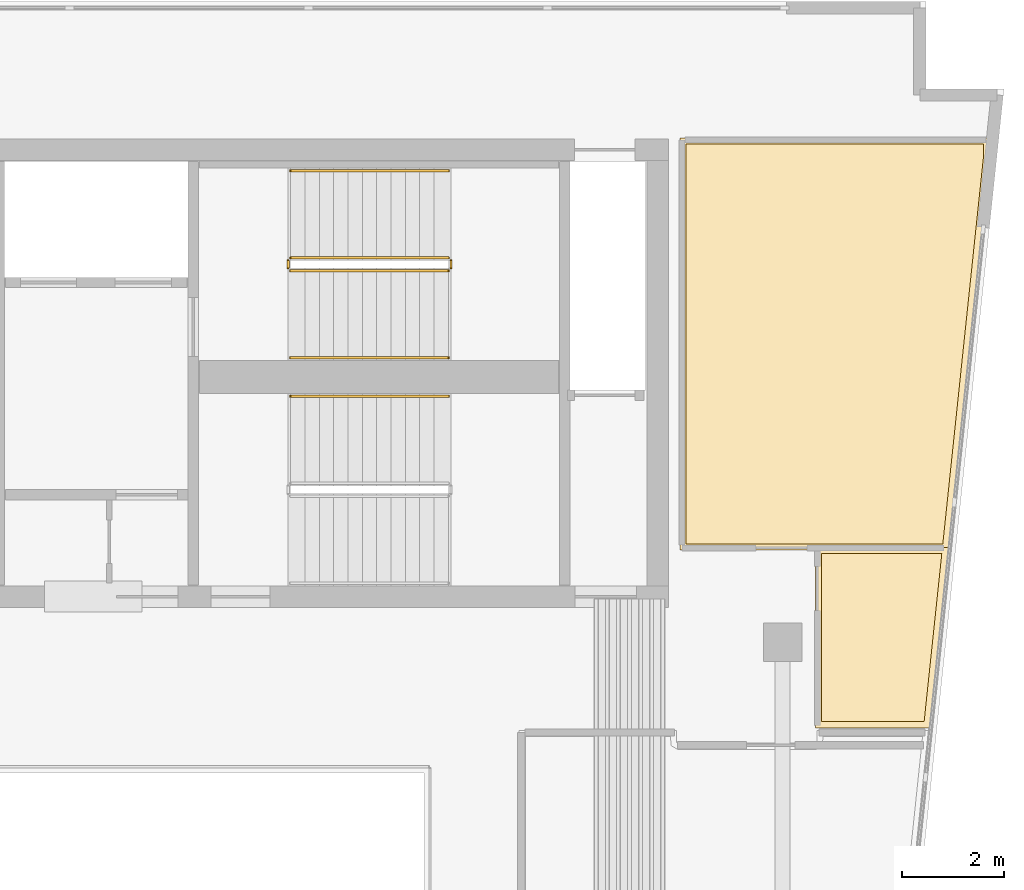
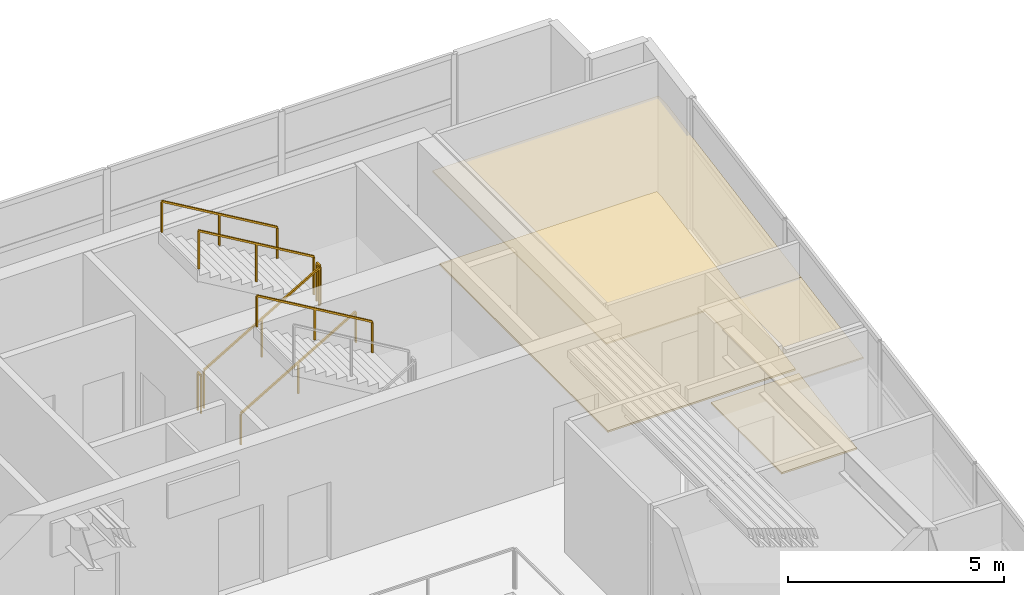
# One storey, part 6 of 6: 7 railings, 4 coverings.
"""IFC4 building model written with IfcOpenShell, lengths in metres."""

import ifcopenshell
import ifcopenshell.guid

model = None  # the IFC model being written
_history = None  # IfcOwnerHistory: only IFC2X3 demands one
_inside = {}  # id of a spatial element -> (the spatial element, [elements in it])
_under = {}  # id of a project, library or spatial element -> (it, [spatial elements below it])
_declared = {}  # id of a project -> (the project, [libraries it declares])
_typed = {}  # id of a type object -> (the type object, [elements of that type])
_made_of = {}  # id of a material, layer set ... -> (it, [elements and type objects made of it])


def new_model(schema):
    """Start an empty IFC model of exactly this schema.

    Asked for "IFC4X3", IfcOpenShell would pick the latest addendum, in which some entities
    have other attributes; the version numbers below select the first issue.
    IFC2X3 requires an IfcOwnerHistory on every rooted entity: one is made here for all.
    """
    global model, _history
    if schema == "IFC4X3":
        model = ifcopenshell.file(schema_version=(4, 3, 0, 0))
    else:
        model = ifcopenshell.file(schema=schema)
    _inside.clear()
    _under.clear()
    _declared.clear()
    _typed.clear()
    _made_of.clear()
    _history = None
    if model.schema == "IFC2X3":
        org = make("IfcOrganization", Name="unknown")
        user = make(
            "IfcPersonAndOrganization",
            ThePerson=make("IfcPerson", FamilyName="unknown"),
            TheOrganization=org,
        )
        app = make(
            "IfcApplication",
            ApplicationDeveloper=org,
            Version="unknown",
            ApplicationFullName="unknown",
            ApplicationIdentifier="unknown",
        )
        _history = make(
            "IfcOwnerHistory",
            OwningUser=user,
            OwningApplication=app,
            ChangeAction="ADDED",
            CreationDate=0,
        )
    return model


def make(cls, **values):
    """One entity of the class cls with the attributes given. An attribute that is None is left unset."""
    return model.create_entity(
        cls, **{name: value for name, value in values.items() if value is not None}
    )


def rooted(cls, **values):
    """An entity with a GlobalId (a new one), such as an element, a storey or a relation."""
    return make(cls, GlobalId=ifcopenshell.guid.new(), OwnerHistory=_history, **values)


def si_unit(unit_type, name, prefix=None):
    """IfcSIUnit, for example si_unit("LENGTHUNIT", "METRE", prefix="MILLI")."""
    return make("IfcSIUnit", UnitType=unit_type, Prefix=prefix, Name=name)


def assignment(units):
    """IfcUnitAssignment: the units of a project."""
    return None if units is None else make("IfcUnitAssignment", Units=units)


def point(xyz):
    """IfcCartesianPoint."""
    return None if xyz is None else make("IfcCartesianPoint", Coordinates=xyz)


def direction(xyz):
    """IfcDirection."""
    return None if xyz is None else make("IfcDirection", DirectionRatios=xyz)


def frame(location, z_axis=None, x_axis=None):
    """IfcAxis2Placement3D, a coordinate frame: its origin and axes. An axis left out is left unset."""
    return make(
        "IfcAxis2Placement3D",
        Location=point(location),
        Axis=direction(z_axis),
        RefDirection=direction(x_axis),
    )


def frame_2d(location, x_axis=None):
    """IfcAxis2Placement2D, a coordinate frame in the plane: its origin and x axis."""
    return make(
        "IfcAxis2Placement2D", Location=point(location), RefDirection=direction(x_axis)
    )


def origin():
    """The frame at (0, 0, 0) with its axes left unset."""
    return frame((0.0, 0.0, 0.0))


def origin_2d():
    """The frame at (0, 0) in the plane with its x axis left unset."""
    return frame_2d((0.0, 0.0))


def place(relative_to, where):
    """IfcLocalPlacement: puts the frame where relative to a parent placement (None: the world)."""
    return make(
        "IfcLocalPlacement", PlacementRelTo=relative_to, RelativePlacement=where
    )


def context(
    kind, dimensions, precision=None, world=None, true_north=None, identifier=None
):
    """IfcGeometricRepresentationContext, for example the 3D "Model" context."""
    return make(
        "IfcGeometricRepresentationContext",
        ContextIdentifier=identifier,
        ContextType=kind,
        CoordinateSpaceDimension=dimensions,
        Precision=precision,
        WorldCoordinateSystem=world,
        TrueNorth=true_north,
    )


def subcontext(parent, identifier, kind, view, scale=None):
    """IfcGeometricRepresentationSubContext, for example "Body" below "Model"."""
    return make(
        "IfcGeometricRepresentationSubContext",
        ContextIdentifier=identifier,
        ContextType=kind,
        ParentContext=parent,
        TargetScale=scale,
        TargetView=view,
    )


def project(units=None, contexts=None):
    """IfcProject with its units and contexts."""
    return rooted(
        "IfcProject",
        Name="project",
        RepresentationContexts=contexts,
        UnitsInContext=assignment(units),
    )


def spatial(cls, under=None, at=None, **own):
    """A site, building, storey or space (cls), placed at a placement, below another one or the project."""
    s = rooted(cls, ObjectPlacement=at, **own)
    if under is not None:
        _under.setdefault(under.id(), (under, []))[1].append(s)
    return s


def polyline(points):
    """IfcPolyline through the points."""
    return make("IfcPolyline", Points=[point(p) for p in points])


def profile(cls, at=None, kind="AREA", **sizes):
    """A parametric profile (cls). Its sizes go by their IFC names, for example OverallWidth=200.0."""
    return make(cls, ProfileType=kind, Position=at, **sizes)


def rectangle(**sizes):
    """IfcRectangleProfileDef."""
    return profile("IfcRectangleProfileDef", **sizes)


def outline(outer, holes=None, kind="AREA"):
    """IfcArbitraryClosedProfileDef: a profile drawn as a closed curve; with holes, ...WithVoids."""
    if holes is None:
        return make("IfcArbitraryClosedProfileDef", ProfileType=kind, OuterCurve=outer)
    return make(
        "IfcArbitraryProfileDefWithVoids",
        ProfileType=kind,
        OuterCurve=outer,
        InnerCurves=holes,
    )


def extrude(swept, where, along, depth):
    """IfcExtrudedAreaSolid: the profile swept, set in the frame where, extruded along a direction by depth."""
    return make(
        "IfcExtrudedAreaSolid",
        SweptArea=swept,
        Position=where,
        ExtrudedDirection=direction(along),
        Depth=depth,
    )


def shape(context_of_items, identifier, shape_type, items):
    """IfcShapeRepresentation: the items that make up one representation, for example the "Body"."""
    return make(
        "IfcShapeRepresentation",
        ContextOfItems=context_of_items,
        RepresentationIdentifier=identifier,
        RepresentationType=shape_type,
        Items=items,
    )


def material(Name=None, Category=None):
    """IfcMaterial."""
    return make("IfcMaterial", Name=Name, Category=Category)


def layer(
    of_material, thickness, ventilated=None, Name=None, Category=None, Priority=None
):
    """IfcMaterialLayer: one layer of a wall or slab, of a material (None: an air gap)."""
    return make(
        "IfcMaterialLayer",
        Material=of_material,
        LayerThickness=thickness,
        IsVentilated=ventilated,
        Name=Name,
        Category=Category,
        Priority=Priority,
    )


def layer_set(layers, Name=None):
    """IfcMaterialLayerSet."""
    return make("IfcMaterialLayerSet", MaterialLayers=layers, LayerSetName=Name)


def made_of(thing, what):
    """Note that an element or type object is made of a material, layer set ...; save() writes the relation."""
    if what is not None:
        _made_of.setdefault(what.id(), (what, []))[1].append(thing)
    return thing


def type_object(cls, material=None, **own):
    """A type object (cls), such as IfcWallType, which elements share."""
    return made_of(rooted(cls, **own), material)


def element(
    cls,
    number,
    at=None,
    inside=None,
    cuts=None,
    type_object=None,
    material=None,
    context=None,
    identifier="Body",
    shape_type=None,
    held_by="IfcProductDefinitionShape",
    body=None,
    shapes=None,
    **own,
):
    """One element of the class cls, such as IfcWall. Its Tag is "e" and its number.

    at: its placement. inside: the storey or other place that contains it. cuts: it is an
    opening in that element (IfcRelVoidsElement). A single representation is given by context,
    identifier, shape_type and body (its items); several are given by shapes. held_by: the class
    of the entity that holds the representations. save() writes the other relations.
    """
    e = rooted(cls, Tag="e%d" % number, ObjectPlacement=at, **own)
    if body is not None:
        shapes = [shape(context, identifier, shape_type, body)]
    if shapes is not None:
        e.Representation = make(held_by, Representations=shapes)
    if inside is not None:
        _inside.setdefault(inside.id(), (inside, []))[1].append(e)
    if cuts is not None:
        rooted(
            "IfcRelVoidsElement", RelatingBuildingElement=cuts, RelatedOpeningElement=e
        )
    if type_object is not None:
        _typed.setdefault(type_object.id(), (type_object, []))[1].append(e)
    return made_of(e, material)


def aggregate(whole, parts):
    """IfcRelAggregates: a whole, such as a stair, and the parts it consists of."""
    return rooted("IfcRelAggregates", RelatingObject=whole, RelatedObjects=parts)


def save(model, path):
    """Write the relations noted so far, then the file.

    IfcRelAggregates (storeys below a building ...), IfcRelContainedInSpatialStructure (elements
    in a storey), IfcRelDefinesByType, IfcRelAssociatesMaterial and IfcRelDeclares: one each for
    every whole, place, type object, material and project.
    """
    for whole, parts in _under.values():
        aggregate(whole, parts)
    for where, things in _inside.values():
        rooted(
            "IfcRelContainedInSpatialStructure",
            RelatedElements=things,
            RelatingStructure=where,
        )
    for kind, things in _typed.values():
        rooted("IfcRelDefinesByType", RelatedObjects=things, RelatingType=kind)
    for what, things in _made_of.values():
        rooted("IfcRelAssociatesMaterial", RelatedObjects=things, RelatingMaterial=what)
    for by, libraries in _declared.values():
        rooted("IfcRelDeclares", RelatingContext=by, RelatedDefinitions=libraries)
    model.write(path)


model = new_model("IFC4")

# Units and contexts
model_context = context("Model", 3, precision=1e-05, world=origin(), true_north=direction((0.0, 1.0)))
body_context = subcontext(model_context, "Body", "Model", "MODEL_VIEW")
ifc_project = project(units=[si_unit("LENGTHUNIT", "METRE"), si_unit("AREAUNIT", "SQUARE_METRE"), si_unit("VOLUMEUNIT", "CUBIC_METRE"), si_unit("PLANEANGLEUNIT", "RADIAN"), si_unit("MASSUNIT", "GRAM", prefix="KILO")], contexts=[model_context])

# Site, building, storey
site_placement = place(None, origin())
site = spatial("IfcSite", under=ifc_project, at=site_placement, CompositionType="ELEMENT")
building_placement = place(site_placement, origin())
building = spatial("IfcBuilding", under=site, at=building_placement, Name="Caeloran Harvest Quay", CompositionType="ELEMENT")
storey_placement = place(building_placement, frame((0.0, 0.0, 288.300048828125)))
storey = spatial("IfcBuildingStorey", under=building, at=storey_placement, Name="L69", CompositionType="ELEMENT", Elevation=288.300048828125)

# Coverings
ifc_material_1 = material(Name="Perforated Mineral-Fibre Acoustic Ceiling Tile", Category="ceiling")
ifc_layer_1 = layer(ifc_material_1, 0.0400390625, Name="Perforated Mineral-Fibre Acoustic Ceiling Tile")
ifc_layer_set_1 = layer_set([ifc_layer_1], Name="Perforated Mineral-Fibre Acoustic Ceiling Tile")
covering_type_1 = type_object("IfcCoveringType", Name="COV-CEILING-ACOUSTIC", PredefinedType="CEILING", material=ifc_layer_set_1)
covering_1_placement = place(storey_placement, frame((0.0, 0.0, 2.599853515625)))
element("IfcCovering", 1, at=covering_1_placement, inside=storey, type_object=covering_type_1, Name="L69 Bioinformatics and Crop Phenotyping Laboratory Acoustic Ceiling", PredefinedType="CEILING", context=body_context, shape_type="SweptSolid", body=[
    extrude(outline(polyline([(29.54150390625, 40.475341796875), (28.7353515625, 32.800048828125), (23.5, 32.800048828125), (23.5, 40.840087890625), (29.54150390625, 40.840087890625), (29.54150390625, 40.475341796875)])), origin(), (0.0, 0.0, 1.0), 0.0400390625),
])
covering_2_placement = place(storey_placement, frame((0.0, 0.0, 2.599853515625)))
element("IfcCovering", 2, at=covering_2_placement, inside=storey, type_object=covering_type_1, Name="Advisory Council Boardroom Acoustic Ceiling", PredefinedType="CEILING", context=body_context, shape_type="SweptSolid", body=[
    extrude(outline(polyline([(26.139892578125, 32.798095703125), (26.12158203125, 32.85009765625), (28.740478515625, 32.85009765625), (28.370849609375, 29.330078125), (26.139892578125, 29.330078125), (26.139892578125, 32.798095703125)])), origin(), (0.0, 0.0, 1.0), 0.0400390625),
])
ifc_material_2 = material(Name="Calcium-Sulphate Raised Access Floor and Terrazzo Finish", Category="flooring")
ifc_layer_2 = layer(ifc_material_2, 0.050048828125, Name="Calcium-Sulphate Raised Access Floor and Terrazzo Finish")
ifc_layer_set_2 = layer_set([ifc_layer_2], Name="Calcium-Sulphate Raised Access Floor and Terrazzo Finish")
covering_type_2 = type_object("IfcCoveringType", Name="COV-FLOOR-RAISED", PredefinedType="FLOORING", material=ifc_layer_set_2)
covering_3_placement = place(storey_placement, origin())
element("IfcCovering", 3, at=covering_3_placement, inside=storey, type_object=covering_type_2, Name="L69 Bioinformatics and Crop Phenotyping Laboratory Raised Finish Flooring", PredefinedType="FLOORING", context=body_context, shape_type="SweptSolid", body=[
    extrude(outline(polyline([(29.42138671875, 40.481689453125), (28.627197265625, 32.919921875), (23.6201171875, 32.919921875), (23.6201171875, 40.719970703125), (29.42138671875, 40.719970703125), (29.42138671875, 40.481689453125)])), origin(), (0.0, 0.0, 1.0), 0.050048828125),
])
covering_4_placement = place(storey_placement, origin())
element("IfcCovering", 4, at=covering_4_placement, inside=storey, type_object=covering_type_2, Name="Advisory Council Boardroom Raised Finish Flooring", PredefinedType="FLOORING", context=body_context, shape_type="SweptSolid", body=[
    extrude(outline(polyline([(26.260009765625, 32.72998046875), (28.607421875, 32.72998046875), (28.2626953125, 29.449951171875), (26.260009765625, 29.449951171875), (26.260009765625, 32.72998046875)])), origin(), (0.0, 0.0, 1.0), 0.050048828125),
])

# Railings
ifc_material_3 = material(Name="Painted Steel Baluster and Top-Rail Stair Guard", Category="steel")
ifc_layer_3 = layer(ifc_material_3, 0.050048828125, Name="Painted Steel Baluster and Top-Rail Stair Guard")
ifc_layer_set_3 = layer_set([ifc_layer_3], Name="Painted Steel Baluster and Top-Rail Stair Guard")
railing_type_1 = type_object("IfcRailingType", Name="STAIR-GUARD-1100", PredefinedType="GUARDRAIL", material=ifc_layer_set_3)
railing_1_placement = place(storey_placement, frame((15.89990234375, 38.25, 0.16455078125)))
element("IfcRailing", 5, at=railing_1_placement, inside=storey, type_object=railing_type_1, Name="L69 ST-C1 stair guard 1", PredefinedType="GUARDRAIL", context=body_context, shape_type="SweptSolid", body=[
    extrude(rectangle(XDim=0.048095703125, YDim=0.048095703125, at=origin_2d()), frame((0.0, 0.0, 1.076171875), z_axis=(0.862118610829, 0.0, 0.506706523406), x_axis=(0.0, 1.0, 0.0)), (0.0, 0.0, 1.0), 3.57275390625),
    extrude(rectangle(XDim=0.0419921875, YDim=0.0419921875, at=origin_2d()), origin(), (0.0, 0.0, 1.0), 1.052001953125),
    extrude(rectangle(XDim=0.0419921875, YDim=0.0419921875, at=origin_2d()), frame((1.5400390625, 0.0, 0.9052734375)), (0.0, 0.0, 1.0), 1.052001953125),
    extrude(rectangle(XDim=0.0419921875, YDim=0.0419921875, at=origin_2d()), frame((3.080078125, 0.0, 1.810302734375)), (0.0, 0.0, 1.0), 1.052001953125),
])
railing_2_placement = place(storey_placement, frame((19.030029296875, 38.300048828125, 1.974853515625)))
element("IfcRailing", 6, at=railing_2_placement, inside=storey, type_object=railing_type_1, Name="L69 ST-C1 stair guard 2", PredefinedType="GUARDRAIL", context=body_context, shape_type="SweptSolid", body=[
    extrude(rectangle(XDim=0.048095703125, YDim=0.048095703125, at=origin_2d()), frame((0.0, 0.0, 1.076171875), z_axis=(0.0, 1.0, 0.0), x_axis=(-1.0, 0.0, 0.0)), (0.0, 0.0, 1.0), 0.14990234375),
    extrude(rectangle(XDim=0.0419921875, YDim=0.0419921875, at=origin_2d()), origin(), (0.0, 0.0, 1.0), 1.052001953125),
    extrude(rectangle(XDim=0.0419921875, YDim=0.0419921875, at=origin_2d()), frame((0.0, 0.14990234375, 0.0)), (0.0, 0.0, 1.0), 1.052001953125),
])
railing_3_placement = place(storey_placement, frame((18.97998046875, 38.5, 2.1396484375)))
element("IfcRailing", 7, at=railing_3_placement, inside=storey, type_object=railing_type_1, Name="L69 ST-C1 stair guard 3", PredefinedType="GUARDRAIL", context=body_context, shape_type="SweptSolid", body=[
    extrude(rectangle(XDim=0.048095703125, YDim=0.048095703125, at=origin_2d()), frame((0.0, 0.0, 1.076171875), z_axis=(-0.862118610829, 0.0, 0.506706523406), x_axis=(0.0, -1.0, 0.0)), (0.0, 0.0, 1.0), 3.57275390625),
    extrude(rectangle(XDim=0.0419921875, YDim=0.0419921875, at=origin_2d()), origin(), (0.0, 0.0, 1.0), 1.052001953125),
    extrude(rectangle(XDim=0.0419921875, YDim=0.0419921875, at=origin_2d()), frame((-1.5400390625, 0.0, 0.9052734375)), (0.0, 0.0, 1.0), 1.052001953125),
    extrude(rectangle(XDim=0.0419921875, YDim=0.0419921875, at=origin_2d()), frame((-3.080078125, 0.0, 1.810302734375)), (0.0, 0.0, 1.0), 1.052001953125),
])
railing_4_placement = place(storey_placement, frame((15.85009765625, 38.300048828125, 0.0)))
element("IfcRailing", 8, at=railing_4_placement, inside=storey, type_object=railing_type_1, Name="L69 ST-C1 stair guard 4", PredefinedType="GUARDRAIL", context=body_context, shape_type="SweptSolid", body=[
    extrude(rectangle(XDim=0.048095703125, YDim=0.048095703125, at=origin_2d()), frame((0.0, 0.0, 1.076171875), z_axis=(0.0, 1.0, 0.0), x_axis=(-1.0, 0.0, 0.0)), (0.0, 0.0, 1.0), 0.14990234375),
    extrude(rectangle(XDim=0.0419921875, YDim=0.0419921875, at=origin_2d()), origin(), (0.0, 0.0, 1.0), 1.052001953125),
    extrude(rectangle(XDim=0.0419921875, YDim=0.0419921875, at=origin_2d()), frame((0.0, 0.14990234375, 0.0)), (0.0, 0.0, 1.0), 1.052001953125),
])
ifc_material_4 = material(Name="Brushed Stainless Steel Grade 304", Category="steel")
ifc_layer_4 = layer(ifc_material_4, 0.050048828125, Name="Brushed Stainless Steel Grade 304")
ifc_layer_set_4 = layer_set([ifc_layer_4], Name="Brushed Stainless Steel Grade 304")
railing_type_2 = type_object("IfcRailingType", Name="STAIR-HANDRAIL-900", PredefinedType="HANDRAIL", material=ifc_layer_set_4)
railing_5_placement = place(storey_placement, frame((15.89990234375, 36.550048828125, 0.16455078125)))
element("IfcRailing", 9, at=railing_5_placement, inside=storey, type_object=railing_type_2, Name="L69 ST-C1 stair handrail 1", PredefinedType="HANDRAIL", context=body_context, shape_type="SweptSolid", body=[
    extrude(rectangle(XDim=0.048095703125, YDim=0.048095703125, at=origin_2d()), frame((0.0, 0.0, 0.8759765625), z_axis=(0.862118610829, 0.0, 0.506706523406), x_axis=(0.0, 1.0, 0.0)), (0.0, 0.0, 1.0), 3.57275390625),
    extrude(rectangle(XDim=0.0419921875, YDim=0.0419921875, at=origin_2d()), origin(), (0.0, 0.0, 1.0), 0.851806640625),
    extrude(rectangle(XDim=0.0419921875, YDim=0.0419921875, at=origin_2d()), frame((1.5400390625, 0.0, 0.9052734375)), (0.0, 0.0, 1.0), 0.851806640625),
    extrude(rectangle(XDim=0.0419921875, YDim=0.0419921875, at=origin_2d()), frame((3.080078125, 0.0, 1.810302734375)), (0.0, 0.0, 1.0), 0.851806640625),
])
for number, where, name in (
    (10, (18.97998046875, 40.199951171875, 2.1396484375), "L69 ST-C1 stair handrail 2"),
    (11, (18.97998046875, 35.800048828125, 2.1396484375), "L69 ST-C2 stair handrail 2"),
):
    element("IfcRailing", number, at=place(storey_placement, frame(where)), inside=storey, type_object=railing_type_2, Name=name, PredefinedType="HANDRAIL", context=body_context, shape_type="SweptSolid", body=[
        extrude(rectangle(XDim=0.048095703125, YDim=0.048095703125, at=origin_2d()), frame((0.0, 0.0, 0.8759765625), z_axis=(-0.862118610829, 0.0, 0.506706523406), x_axis=(0.0, -1.0, 0.0)), (0.0, 0.0, 1.0), 3.57275390625),
        extrude(rectangle(XDim=0.0419921875, YDim=0.0419921875, at=origin_2d()), origin(), (0.0, 0.0, 1.0), 0.851806640625),
        extrude(rectangle(XDim=0.0419921875, YDim=0.0419921875, at=origin_2d()), frame((-1.5400390625, 0.0, 0.9052734375)), (0.0, 0.0, 1.0), 0.851806640625),
        extrude(rectangle(XDim=0.0419921875, YDim=0.0419921875, at=origin_2d()), frame((-3.080078125, 0.0, 1.810302734375)), (0.0, 0.0, 1.0), 0.851806640625),
    ])

save(model, "model.ifc")
